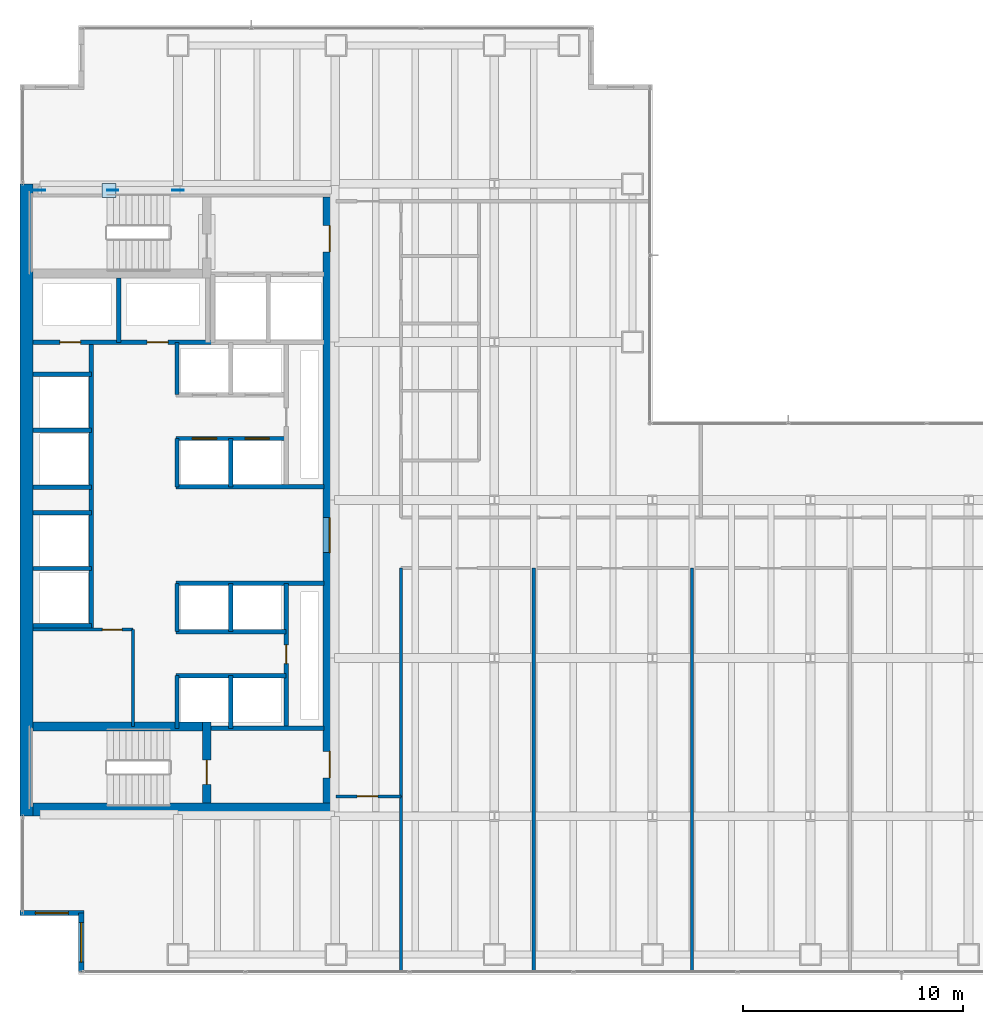
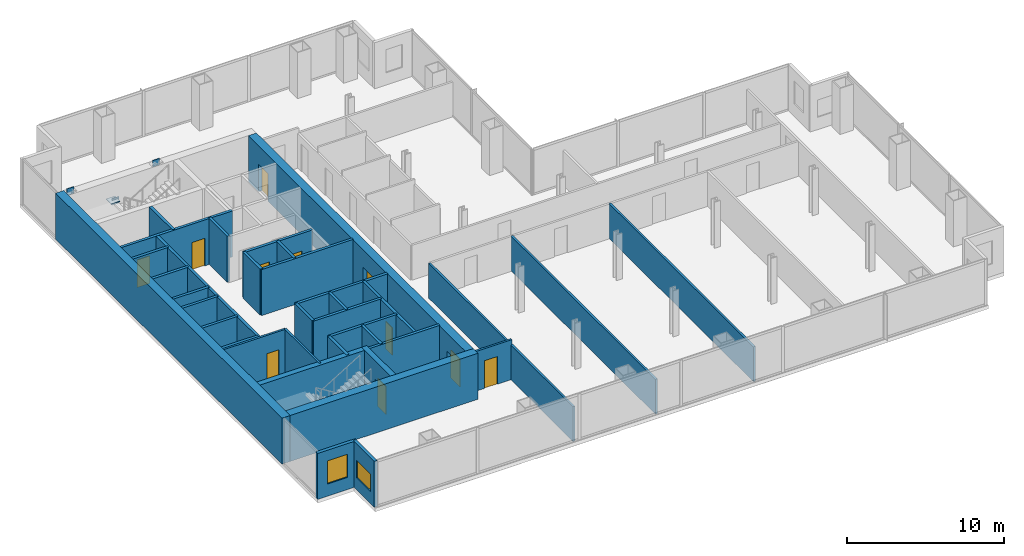
# One storey, part 20 of 25: 37 walls, 11 doors, 4 plates, 2 windows, 13 openings.
"""IFC4 building model written with IfcOpenShell, lengths in metres."""

from ifc_helpers import new_model, si_unit, direction, frame, frame_2d, origin, origin_2d, place, context, subcontext, project, spatial, rectangle, extrude, material, layer, layer_set, type_object, element, fill, save


model = new_model("IFC4")

# Units and contexts
model_context = context("Model", 3, precision=1e-05, world=origin(), true_north=direction((0.0, 1.0)))
body_context = subcontext(model_context, "Body", "Model", "MODEL_VIEW")
ifc_project = project(units=[si_unit("LENGTHUNIT", "METRE"), si_unit("AREAUNIT", "SQUARE_METRE"), si_unit("VOLUMEUNIT", "CUBIC_METRE"), si_unit("PLANEANGLEUNIT", "RADIAN"), si_unit("MASSUNIT", "GRAM", prefix="KILO")], contexts=[model_context])

# Site, building, storey
site_placement = place(None, origin())
site = spatial("IfcSite", under=ifc_project, at=site_placement, CompositionType="ELEMENT")
building_placement = place(site_placement, origin())
building = spatial("IfcBuilding", under=site, at=building_placement, Name="Cobrela Telecom Tower", CompositionType="ELEMENT")
storey_placement = place(building_placement, frame((0.0, 0.0, 58.10009765625)))
storey = spatial("IfcBuildingStorey", under=building, at=storey_placement, Name="L14", CompositionType="ELEMENT", Elevation=58.10009765625)

# Plates
ifc_material_1 = material(Name="Steel ASTM A572 Grade 50", Category="steel")
ifc_layer_1 = layer(ifc_material_1, 0.0419921875)
ifc_layer_set_1 = layer_set([ifc_layer_1], Name="Steel ASTM A572 Grade 50")
plate_type = type_object("IfcPlateType", Name="PLT-NODE-ND1", PredefinedType="USERDEFINED", material=ifc_layer_set_1)
for number, where, z_axis, x_axis, name in (
    (1, (7.199951171875, 35.699951171875, 3.35498046875), (0.0, 0.0, 1.0), (1.0, 0.0, 0.0), "Steel node plate PLT-MBR-EXO-L14-N1-A-1"),
    (2, (4.219482421875, 35.699951171875, 1.431640625), (0.0, 0.0, 1.0), (-1.0, 0.0, 0.0), "Steel node plate PLT-MBR-EXO-L14-N1-B1-1"),
    (3, (0.89990234375, 35.699951171875, 3.35498046875), (0.0, 0.0, 1.0), (-1.0, 0.0, 0.0), "Steel node plate PLT-MBR-EXO-L14-N1-B2-1"),
):
    element("IfcPlate", number, at=place(storey_placement, frame(where, z_axis=z_axis, x_axis=x_axis)), inside=storey, type_object=plate_type, Name=name, ObjectType="GUSSET PLATE", PredefinedType="USERDEFINED", context=body_context, shape_type="SweptSolid", body=[
        extrude(rectangle(XDim=0.510009765625, YDim=0.044921875, at=origin_2d()), origin(), (0.0, 0.0, 1.0), 0.510009765625),
    ])
plate_placement = place(storey_placement, frame((4.050048828125, 35.699951171875, 1.762451171875), z_axis=(0.0, 0.0, 1.0), x_axis=(1.0, 0.0, 0.0)))
element("IfcPlate", 4, at=plate_placement, inside=storey, type_object=plate_type, Name="L14 Core Flange Steel X-Brace Central X-Crossing Gusset Plate", ObjectType="GUSSET PLATE", PredefinedType="USERDEFINED", context=body_context, shape_type="SweptSolid", body=[
    extrude(rectangle(XDim=0.64990234375, YDim=0.64990234375, at=origin_2d()), origin(), (0.0, 0.0, 1.0), 0.044921875),
])

# Walls
ifc_material_2 = material(Name="Concrete C50/60", Category="concrete")
ifc_layer_2 = layer(ifc_material_2, 0.60009765625)
ifc_layer_set_2 = layer_set([ifc_layer_2], Name="Concrete C50/60")
wall_type_1 = type_object("IfcWallType", Name="WALL-CORE-C50-600", PredefinedType="SHEAR", material=ifc_layer_set_2)
wall_1_placement = place(storey_placement, frame((0.300048828125, 7.199951171875, 0.0), z_axis=(0.0, 0.0, 1.0), x_axis=(0.0, 1.0, 0.0)))
element("IfcWall", 5, at=wall_1_placement, inside=storey, type_object=wall_type_1, Name="L14 West Core Shear Wall", PredefinedType="SHEAR", context=body_context, shape_type="SweptSolid", body=[
    extrude(rectangle(XDim=28.800048828125, YDim=0.60009765625, at=frame_2d((14.39990234375, 0.0))), origin(), (0.0, 0.0, 1.0), 3.56982421875),
])
wall_2_placement = place(storey_placement, frame((0.60009765625, 7.5, 0.0), z_axis=(0.0, 0.0, 1.0), x_axis=(1.0, 0.0, 0.0)))
element("IfcWall", 6, at=wall_2_placement, inside=storey, type_object=wall_type_1, Name="L14 South Core Shear Wall", PredefinedType="SHEAR", context=body_context, shape_type="SweptSolid", body=[
    extrude(rectangle(XDim=13.7998046875, YDim=0.60009765625, at=frame_2d((6.89990234375, 0.0))), origin(), (0.0, 0.0, 1.0), 3.56982421875),
])

# Wall, openings, doors
wall_3_placement = place(storey_placement, frame((14.10009765625, 35.39990234375, 0.0), z_axis=(0.0, 0.0, 1.0), x_axis=(0.0, -1.0, 0.0)))
wall_3 = element("IfcWall", 7, at=wall_3_placement, inside=storey, type_object=wall_type_1, Name="L14 East Core Shear Wall", PredefinedType="SHEAR", context=body_context, shape_type="SweptSolid", body=[
    extrude(rectangle(XDim=27.599853515625, YDim=0.60009765625, at=frame_2d((13.7998046875, 0.0))), origin(), (0.0, 0.0, 1.0), 3.56982421875),
])
opening_1_placement = place(wall_3_placement, frame((1.300048828125, 0.0, 0.0)))
opening_1 = element("IfcOpeningElement", 8, at=opening_1_placement, cuts=wall_3, Name="Opening DR-19", PredefinedType="OPENING", context=body_context, shape_type="SweptSolid", body=[
    extrude(rectangle(XDim=1.199951171875, YDim=2.14990234375, at=frame_2d((0.60009765625, 1.074951171875))), frame((0.0, 0.31201171875, 0.0), z_axis=(0.0, -1.0, 0.0), x_axis=(1.0, 0.0, 0.0)), (0.0, 0.0, 1.0), 0.6240234375),
])
opening_2_placement = place(wall_3_placement, frame((25.25, 0.0, 0.0)))
opening_2 = element("IfcOpeningElement", 9, at=opening_2_placement, cuts=wall_3, Name="Opening DR-19", PredefinedType="OPENING", context=body_context, shape_type="SweptSolid", body=[
    extrude(rectangle(XDim=1.199951171875, YDim=2.14990234375, at=frame_2d((0.60009765625, 1.074951171875))), frame((0.0, 0.31201171875, 0.0), z_axis=(0.0, -1.0, 0.0), x_axis=(1.0, 0.0, 0.0)), (0.0, 0.0, 1.0), 0.6240234375),
])
opening_3_placement = place(wall_3_placement, frame((14.60009765625, 0.0, 0.0)))
opening_3 = element("IfcOpeningElement", 10, at=opening_3_placement, cuts=wall_3, Name="Opening DR-51", PredefinedType="OPENING", context=body_context, shape_type="SweptSolid", body=[
    extrude(rectangle(XDim=1.60009765625, YDim=2.199951171875, at=frame_2d((0.800048828125, 1.10009765625))), frame((0.0, 0.31201171875, 0.0), z_axis=(0.0, -1.0, 0.0), x_axis=(1.0, 0.0, 0.0)), (0.0, 0.0, 1.0), 0.6240234375),
])
ifc_material_3 = material(Name="Steel ASTM A36", Category="steel")
door_type_1 = type_object("IfcDoorType", Name="DOOR-FD60-1200", OperationType="SINGLE_SWING_LEFT", PredefinedType="DOOR", material=ifc_material_3)
door_1_placement = place(opening_1_placement, origin())
door_1 = element("IfcDoor", 11, at=door_1_placement, inside=storey, type_object=door_type_1, Name="L14 Door DR-19", OperationType="SINGLE_SWING_LEFT", OverallHeight=2.14990234375, OverallWidth=1.199951171875, PredefinedType="DOOR", context=body_context, shape_type="SweptSolid", body=[
    extrude(rectangle(XDim=1.199951171875, YDim=2.14990234375, at=frame_2d((0.60009765625, 1.074951171875))), frame((0.0, 0.02490234375, 0.0), z_axis=(0.0, -1.0, 0.0), x_axis=(1.0, 0.0, 0.0)), (0.0, 0.0, 1.0), 0.050048828125),
])
fill(opening_1, door_1)
door_2_placement = place(opening_2_placement, origin())
door_2 = element("IfcDoor", 12, at=door_2_placement, inside=storey, type_object=door_type_1, Name="L14 Door DR-19", OperationType="SINGLE_SWING_RIGHT", OverallHeight=2.14990234375, OverallWidth=1.199951171875, PredefinedType="DOOR", context=body_context, shape_type="SweptSolid", body=[
    extrude(rectangle(XDim=1.199951171875, YDim=2.14990234375, at=frame_2d((0.60009765625, 1.074951171875))), frame((0.0, 0.02490234375, 0.0), z_axis=(0.0, -1.0, 0.0), x_axis=(1.0, 0.0, 0.0)), (0.0, 0.0, 1.0), 0.050048828125),
])
fill(opening_2, door_2)
door_type_2 = type_object("IfcDoorType", Name="DOOR-FD60-1600", OperationType="SINGLE_SWING_LEFT", PredefinedType="DOOR", material=ifc_material_3)
door_3_placement = place(opening_3_placement, origin())
door_3 = element("IfcDoor", 13, at=door_3_placement, inside=storey, type_object=door_type_2, Name="L14 Door DR-51", OperationType="DOUBLE_DOOR_SINGLE_SWING", OverallHeight=2.199951171875, OverallWidth=1.60009765625, PredefinedType="DOOR", context=body_context, shape_type="SweptSolid", body=[
    extrude(rectangle(XDim=1.60009765625, YDim=2.199951171875, at=frame_2d((0.800048828125, 1.10009765625))), frame((0.0, 0.02490234375, 0.0), z_axis=(0.0, -1.0, 0.0), x_axis=(1.0, 0.0, 0.0)), (0.0, 0.0, 1.0), 0.050048828125),
])
fill(opening_3, door_3)

# Wall, opening, window
ifc_material_4 = material(Name="Concrete C40/50", Category="concrete")
ifc_layer_3 = layer(ifc_material_4, 0.239990234375)
ifc_layer_set_3 = layer_set([ifc_layer_3], Name="Concrete C40/50")
wall_type_2 = type_object("IfcWallType", Name="WALL-EXT-300", PredefinedType="STANDARD", material=ifc_layer_set_3)
wall_4_placement = place(storey_placement, frame((2.7900390625, 0.1201171875, 0.0), z_axis=(0.0, 0.0, 1.0), x_axis=(0.0, 1.0, 0.0)))
wall_4 = element("IfcWall", 14, at=wall_4_placement, inside=storey, type_object=wall_type_2, Name="L14 Insulated Facade Wall 01", PredefinedType="STANDARD", context=body_context, shape_type="SweptSolid", body=[
    extrude(rectangle(XDim=2.669921875, YDim=0.239990234375, at=frame_2d((1.3349609375, 0.0))), origin(), (0.0, 0.0, 1.0), 3.56982421875),
])
opening_4_placement = place(wall_4_placement, frame((0.43505859375, 0.0, 0.949951171875)))
opening_4 = element("IfcOpeningElement", 15, at=opening_4_placement, cuts=wall_4, Name="Opening WN-27", PredefinedType="OPENING", context=body_context, shape_type="SweptSolid", body=[
    extrude(rectangle(XDim=1.800048828125, YDim=1.35009765625, at=frame_2d((0.89990234375, 0.675048828125))), frame((0.0, 0.1318359375, 0.0), z_axis=(0.0, -1.0, 0.0), x_axis=(1.0, 0.0, 0.0)), (0.0, 0.0, 1.0), 0.263916015625),
])
ifc_material_5 = material(Name="Solar-Control Bronze Low-E Glass", Category="glass")
window_type_1 = type_object("IfcWindowType", Name="WIN-CLER-1800", PartitioningType="SINGLE_PANEL", PredefinedType="WINDOW", material=ifc_material_5)
window_1_placement = place(opening_4_placement, origin())
window_1 = element("IfcWindow", 16, at=window_1_placement, inside=storey, type_object=window_type_1, Name="L14 Corner Notch Facade Window 060", OverallHeight=1.35009765625, OverallWidth=1.800048828125, PartitioningType="SINGLE_PANEL", PredefinedType="WINDOW", context=body_context, shape_type="SweptSolid", body=[
    extrude(rectangle(XDim=1.800048828125, YDim=1.35009765625, at=frame_2d((0.89990234375, 0.675048828125))), frame((0.0, 0.030029296875, 0.0), z_axis=(0.0, -1.0, 0.0), x_axis=(1.0, 0.0, 0.0)), (0.0, 0.0, 1.0), 0.06005859375),
])
fill(opening_4, window_1)

wall_5_placement = place(storey_placement, frame((2.909912109375, 2.7900390625, 0.0), z_axis=(0.0, 0.0, 1.0), x_axis=(-1.0, 0.0, 0.0)))
wall_5 = element("IfcWall", 17, at=wall_5_placement, inside=storey, type_object=wall_type_2, Name="L14 Insulated Facade Wall 02", PredefinedType="STANDARD", context=body_context, shape_type="SweptSolid", body=[
    extrude(rectangle(XDim=2.909912109375, YDim=0.239990234375, at=frame_2d((1.455078125, 0.0))), origin(), (0.0, 0.0, 1.0), 3.56982421875),
])
opening_5_placement = place(wall_5_placement, frame((0.705078125, 0.0, 0.949951171875)))
opening_5 = element("IfcOpeningElement", 18, at=opening_5_placement, cuts=wall_5, Name="Opening WN-45", PredefinedType="OPENING", context=body_context, shape_type="SweptSolid", body=[
    extrude(rectangle(XDim=1.5, YDim=1.800048828125, at=frame_2d((0.75, 0.89990234375))), frame((0.0, 0.1318359375, 0.0), z_axis=(0.0, -1.0, 0.0), x_axis=(1.0, 0.0, 0.0)), (0.0, 0.0, 1.0), 0.263916015625),
])
window_type_2 = type_object("IfcWindowType", Name="WIN-MOD-1500", PartitioningType="SINGLE_PANEL", PredefinedType="WINDOW", material=ifc_material_5)
window_2_placement = place(opening_5_placement, origin())
window_2 = element("IfcWindow", 19, at=window_2_placement, inside=storey, type_object=window_type_2, Name="L14 Corner Notch Facade Window 061", OverallHeight=1.800048828125, OverallWidth=1.5, PartitioningType="SINGLE_PANEL", PredefinedType="WINDOW", context=body_context, shape_type="SweptSolid", body=[
    extrude(rectangle(XDim=1.5, YDim=1.800048828125, at=frame_2d((0.75, 0.89990234375))), frame((0.0, 0.030029296875, 0.0), z_axis=(0.0, -1.0, 0.0), x_axis=(1.0, 0.0, 0.0)), (0.0, 0.0, 1.0), 0.06005859375),
])
fill(opening_5, window_2)

# Wall, opening, door
ifc_material_6 = material(Name="Fire-Rated Gypsum Plasterboard")
ifc_layer_4 = layer(ifc_material_6, 0.14990234375)
ifc_layer_set_4 = layer_set([ifc_layer_4], Name="Fire-Rated Gypsum Plasterboard")
wall_type_3 = type_object("IfcWallType", Name="WALL-PART-150", PredefinedType="PARTITIONING", material=ifc_layer_set_4)
wall_6_placement = place(storey_placement, frame((0.60009765625, 15.699951171875, 0.0), z_axis=(0.0, 0.0, 1.0), x_axis=(1.0, 0.0, 0.0)))
wall_6 = element("IfcWall", 20, at=wall_6_placement, inside=storey, type_object=wall_type_3, Name="L14 Interior Partition CW-FLEX-N", PredefinedType="PARTITIONING", context=body_context, shape_type="SweptSolid", body=[
    extrude(rectangle(XDim=4.5498046875, YDim=0.14990234375, at=frame_2d((2.27490234375, 0.0))), origin(), (0.0, 0.0, 1.0), 3.56982421875),
])
opening_6_placement = place(wall_6_placement, frame((3.14990234375, 0.0, 0.0)))
opening_6 = element("IfcOpeningElement", 21, at=opening_6_placement, cuts=wall_6, Name="Opening DR-41", PredefinedType="OPENING", context=body_context, shape_type="SweptSolid", body=[
    extrude(rectangle(XDim=0.89990234375, YDim=2.14990234375, at=frame_2d((0.449951171875, 1.074951171875))), frame((0.0, 0.0869140625, 0.0), z_axis=(0.0, -1.0, 0.0), x_axis=(1.0, 0.0, 0.0)), (0.0, 0.0, 1.0), 0.173828125),
])
ifc_material_7 = material(Name="Solid Engineered Oak Timber", Category="wood")
door_type_3 = type_object("IfcDoorType", Name="DOOR-INT-900", OperationType="SINGLE_SWING_LEFT", PredefinedType="DOOR", material=ifc_material_7)
door_4_placement = place(opening_6_placement, origin())
door_4 = element("IfcDoor", 22, at=door_4_placement, inside=storey, type_object=door_type_3, Name="L14 Door DR-41", OperationType="SINGLE_SWING_LEFT", OverallHeight=2.14990234375, OverallWidth=0.89990234375, PredefinedType="DOOR", context=body_context, shape_type="SweptSolid", body=[
    extrude(rectangle(XDim=0.89990234375, YDim=2.14990234375, at=frame_2d((0.449951171875, 1.074951171875))), frame((0.0, 0.02490234375, 0.0), z_axis=(0.0, -1.0, 0.0), x_axis=(1.0, 0.0, 0.0)), (0.0, 0.0, 1.0), 0.050048828125),
])
fill(opening_6, door_4)

# Wall
wall_7_placement = place(storey_placement, frame((5.14990234375, 11.280029296875, 0.0), z_axis=(0.0, 0.0, 1.0), x_axis=(0.0, 1.0, 0.0)))
element("IfcWall", 23, at=wall_7_placement, inside=storey, type_object=wall_type_3, Name="L14 Interior Partition CW-FLEX-E", PredefinedType="PARTITIONING", context=body_context, shape_type="SweptSolid", body=[
    extrude(rectangle(XDim=4.419921875, YDim=0.14990234375, at=frame_2d((2.2099609375, 0.0))), origin(), (0.0, 0.0, 1.0), 3.56982421875),
])

# Wall, opening, door
wall_8_placement = place(storey_placement, frame((14.39990234375, 8.10009765625, 0.0), z_axis=(0.0, 0.0, 1.0), x_axis=(1.0, 0.0, 0.0)))
wall_8 = element("IfcWall", 24, at=wall_8_placement, inside=storey, type_object=wall_type_3, Name="L14 Interior Partition W-C-S0", PredefinedType="PARTITIONING", context=body_context, shape_type="SweptSolid", body=[
    extrude(rectangle(XDim=2.9501953125, YDim=0.14990234375, at=frame_2d((1.47509765625, 0.0))), origin(), (0.0, 0.0, 1.0), 3.087890625),
])
opening_7_placement = place(wall_8_placement, frame((0.949951171875, 0.0, 0.0)))
opening_7 = element("IfcOpeningElement", 25, at=opening_7_placement, cuts=wall_8, Name="Opening DR-67", PredefinedType="OPENING", context=body_context, shape_type="SweptSolid", body=[
    extrude(rectangle(XDim=0.949951171875, YDim=2.14990234375, at=frame_2d((0.47509765625, 1.074951171875))), frame((0.0, 0.0869140625, 0.0), z_axis=(0.0, -1.0, 0.0), x_axis=(1.0, 0.0, 0.0)), (0.0, 0.0, 1.0), 0.173828125),
])
door_type_4 = type_object("IfcDoorType", Name="DOOR-INT-950", OperationType="SINGLE_SWING_LEFT", PredefinedType="DOOR", material=ifc_material_7)
door_5_placement = place(opening_7_placement, origin())
door_5 = element("IfcDoor", 26, at=door_5_placement, inside=storey, type_object=door_type_4, Name="L14 Door DR-67", OperationType="SINGLE_SWING_RIGHT", OverallHeight=2.14990234375, OverallWidth=0.949951171875, PredefinedType="DOOR", context=body_context, shape_type="SweptSolid", body=[
    extrude(rectangle(XDim=0.949951171875, YDim=2.14990234375, at=frame_2d((0.47509765625, 1.074951171875))), frame((0.0, 0.02490234375, 0.0), z_axis=(0.0, -1.0, 0.0), x_axis=(1.0, 0.0, 0.0)), (0.0, 0.0, 1.0), 0.050048828125),
])
fill(opening_7, door_5)

# Walls
wall_9_placement = place(storey_placement, frame((17.35009765625, 8.10009765625, 0.0), z_axis=(0.0, 0.0, 1.0), x_axis=(0.0, 1.0, 0.0)))
element("IfcWall", 27, at=wall_9_placement, inside=storey, type_object=wall_type_3, Name="L14 Interior Partition W-C-E1", PredefinedType="PARTITIONING", context=body_context, shape_type="SweptSolid", body=[
    extrude(rectangle(XDim=10.39990234375, YDim=0.14990234375, at=frame_2d((5.199951171875, 0.0))), origin(), (0.0, 0.0, 1.0), 2.698974609375),
])
wall_10_placement = place(storey_placement, frame((17.35009765625, 0.1201171875, 0.0), z_axis=(0.0, 0.0, 1.0), x_axis=(0.0, 1.0, 0.0)))
element("IfcWall", 28, at=wall_10_placement, inside=storey, type_object=wall_type_3, Name="L14 Interior Partition W-SW-E", PredefinedType="PARTITIONING", context=body_context, shape_type="SweptSolid", body=[
    extrude(rectangle(XDim=7.97998046875, YDim=0.14990234375, at=frame_2d((3.989990234375, 0.0))), origin(), (0.0, 0.0, 1.0), 2.698974609375),
])
for number, where, z_axis, x_axis, name in (
    (29, (23.39990234375, 0.1201171875, 0.0), (0.0, 0.0, 1.0), (0.0, 1.0, 0.0), "L14 Interior Partition W-SV-1"),
    (30, (30.60009765625, 0.1201171875, 0.0), (0.0, 0.0, 1.0), (0.0, 1.0, 0.0), "L14 Interior Partition W-SV-2"),
):
    element("IfcWall", number, at=place(storey_placement, frame(where, z_axis=z_axis, x_axis=x_axis)), inside=storey, type_object=wall_type_3, Name=name, PredefinedType="PARTITIONING", context=body_context, shape_type="SweptSolid", body=[
        extrude(rectangle(XDim=18.3798828125, YDim=0.14990234375, at=frame_2d((9.18994140625, 0.0))), origin(), (0.0, 0.0, 1.0), 2.698974609375),
    ])
ifc_layer_5 = layer(ifc_material_6, 0.199951171875)
ifc_layer_set_5 = layer_set([ifc_layer_5], Name="Fire-Rated Gypsum Plasterboard")
wall_type_4 = type_object("IfcWallType", Name="WALL-SHAFT-200", PredefinedType="PARTITIONING", material=ifc_layer_set_5)
wall_11_placement = place(storey_placement, frame((8.699951171875, 11.199951171875, 0.0), z_axis=(0.0, 0.0, 1.0), x_axis=(1.0, 0.0, 0.0)))
element("IfcWall", 31, at=wall_11_placement, inside=storey, type_object=wall_type_4, Name="L14 Shaft Enclosure CW-ST2L-N", PredefinedType="PARTITIONING", context=body_context, shape_type="SweptSolid", body=[
    extrude(rectangle(XDim=5.150146484375, YDim=0.199951171875, at=frame_2d((2.5751953125, 0.0))), origin(), (0.0, 0.0, 1.0), 3.56982421875),
])

# Wall, openings, doors
wall_12_placement = place(storey_placement, frame((0.60009765625, 28.780029296875, 0.0), z_axis=(0.0, 0.0, 1.0), x_axis=(1.0, 0.0, 0.0)))
wall_12 = element("IfcWall", 32, at=wall_12_placement, inside=storey, type_object=wall_type_4, Name="L14 Shaft Enclosure CW-RIS-S", PredefinedType="PARTITIONING", context=body_context, shape_type="SweptSolid", body=[
    extrude(rectangle(XDim=8.179931640625, YDim=0.199951171875, at=frame_2d((4.08984375, 0.0))), origin(), (0.0, 0.0, 1.0), 3.56982421875),
])
opening_8_placement = place(wall_12_placement, frame((1.2099609375, 0.0, 0.0)))
opening_8 = element("IfcOpeningElement", 33, at=opening_8_placement, cuts=wall_12, Name="Opening DR-65", PredefinedType="OPENING", context=body_context, shape_type="SweptSolid", body=[
    extrude(rectangle(XDim=0.949951171875, YDim=2.14990234375, at=frame_2d((0.47509765625, 1.074951171875))), frame((0.0, 0.11181640625, 0.0), z_axis=(0.0, -1.0, 0.0), x_axis=(1.0, 0.0, 0.0)), (0.0, 0.0, 1.0), 0.223876953125),
])
opening_9_placement = place(wall_12_placement, frame((5.18994140625, 0.0, 0.0)))
opening_9 = element("IfcOpeningElement", 34, at=opening_9_placement, cuts=wall_12, Name="Opening DR-65", PredefinedType="OPENING", context=body_context, shape_type="SweptSolid", body=[
    extrude(rectangle(XDim=0.949951171875, YDim=2.14990234375, at=frame_2d((0.47509765625, 1.074951171875))), frame((0.0, 0.11181640625, 0.0), z_axis=(0.0, -1.0, 0.0), x_axis=(1.0, 0.0, 0.0)), (0.0, 0.0, 1.0), 0.223876953125),
])
door_type_5 = type_object("IfcDoorType", Name="DOOR-FD60-950", OperationType="SINGLE_SWING_LEFT", PredefinedType="DOOR", material=ifc_material_3)
door_6_placement = place(opening_8_placement, origin())
door_6 = element("IfcDoor", 35, at=door_6_placement, inside=storey, type_object=door_type_5, Name="L14 Door DR-65", OperationType="SINGLE_SWING_LEFT", OverallHeight=2.14990234375, OverallWidth=0.949951171875, PredefinedType="DOOR", context=body_context, shape_type="SweptSolid", body=[
    extrude(rectangle(XDim=0.949951171875, YDim=2.14990234375, at=frame_2d((0.47509765625, 1.074951171875))), frame((0.0, 0.02490234375, 0.0), z_axis=(0.0, -1.0, 0.0), x_axis=(1.0, 0.0, 0.0)), (0.0, 0.0, 1.0), 0.050048828125),
])
fill(opening_8, door_6)
door_7_placement = place(opening_9_placement, origin())
door_7 = element("IfcDoor", 36, at=door_7_placement, inside=storey, type_object=door_type_5, Name="L14 Door DR-65", OperationType="SINGLE_SWING_RIGHT", OverallHeight=2.14990234375, OverallWidth=0.949951171875, PredefinedType="DOOR", context=body_context, shape_type="SweptSolid", body=[
    extrude(rectangle(XDim=0.949951171875, YDim=2.14990234375, at=frame_2d((0.47509765625, 1.074951171875))), frame((0.0, 0.02490234375, 0.0), z_axis=(0.0, -1.0, 0.0), x_axis=(1.0, 0.0, 0.0)), (0.0, 0.0, 1.0), 0.050048828125),
])
fill(opening_9, door_7)

# Walls
wall_13_placement = place(storey_placement, frame((4.5, 28.780029296875, 0.0), z_axis=(0.0, 0.0, 1.0), x_axis=(0.0, 1.0, 0.0)))
element("IfcWall", 37, at=wall_13_placement, inside=storey, type_object=wall_type_4, Name="L14 Shaft Enclosure CW-RIS-M", PredefinedType="PARTITIONING", context=body_context, shape_type="SweptSolid", body=[
    extrude(rectangle(XDim=2.93994140625, YDim=0.199951171875, at=frame_2d((1.469970703125, 0.0))), origin(), (0.0, 0.0, 1.0), 3.56982421875),
])
wall_14_placement = place(storey_placement, frame((3.25, 15.699951171875, 0.0), z_axis=(0.0, 0.0, 1.0), x_axis=(0.0, 1.0, 0.0)))
element("IfcWall", 38, at=wall_14_placement, inside=storey, type_object=wall_type_4, Name="L14 Shaft Enclosure CW-PLH-E", PredefinedType="PARTITIONING", context=body_context, shape_type="SweptSolid", body=[
    extrude(rectangle(XDim=13.080078125, YDim=0.199951171875, at=frame_2d((6.5400390625, 0.0))), origin(), (0.0, 0.0, 1.0), 3.56982421875),
])
for number, where, z_axis, x_axis, name in (
    (39, (0.60009765625, 15.8798828125, 0.0), (0.0, 0.0, 1.0), (1.0, 0.0, 0.0), "L14 Shaft Enclosure CW-PLH-D9"),
    (40, (0.60009765625, 18.47998046875, 0.0), (0.0, 0.0, 1.0), (1.0, 0.0, 0.0), "L14 Shaft Enclosure CW-PLH-D10"),
    (41, (0.60009765625, 22.179931640625, 0.0), (0.0, 0.0, 1.0), (1.0, 0.0, 0.0), "L14 Shaft Enclosure CW-PLH-D11"),
    (42, (0.60009765625, 24.780029296875, 0.0), (0.0, 0.0, 1.0), (1.0, 0.0, 0.0), "L14 Shaft Enclosure CW-PLH-D12"),
    (43, (0.60009765625, 21.02001953125, 0.0), (0.0, 0.0, 1.0), (1.0, 0.0, 0.0), "L14 Shaft Enclosure CW-PLH-MID"),
    (44, (0.60009765625, 27.320068359375, 0.0), (0.0, 0.0, 1.0), (1.0, 0.0, 0.0), "L14 Shaft Enclosure CW-PLH-TOP"),
):
    element("IfcWall", number, at=place(storey_placement, frame(where, z_axis=z_axis, x_axis=x_axis)), inside=storey, type_object=wall_type_4, Name=name, PredefinedType="PARTITIONING", context=body_context, shape_type="SweptSolid", body=[
        extrude(rectangle(XDim=2.64990234375, YDim=0.199951171875, at=frame_2d((1.324951171875, 0.0))), origin(), (0.0, 0.0, 1.0), 3.56982421875),
    ])
wall_15_placement = place(storey_placement, frame((7.10009765625, 22.199951171875, 0.0), z_axis=(0.0, 0.0, 1.0), x_axis=(1.0, 0.0, 0.0)))
element("IfcWall", 45, at=wall_15_placement, inside=storey, type_object=wall_type_4, Name="L14 Shaft Enclosure CW-PLL-B0", PredefinedType="PARTITIONING", context=body_context, shape_type="SweptSolid", body=[
    extrude(rectangle(XDim=6.75, YDim=0.199951171875, at=frame_2d((3.375, 0.0))), origin(), (0.0, 0.0, 1.0), 3.56982421875),
])

# Wall, openings, doors
wall_16_placement = place(storey_placement, frame((7.10009765625, 24.39990234375, 0.0), z_axis=(0.0, 0.0, 1.0), x_axis=(1.0, 0.0, 0.0)))
wall_16 = element("IfcWall", 46, at=wall_16_placement, inside=storey, type_object=wall_type_4, Name="L14 Shaft Enclosure CW-PLL-S", PredefinedType="PARTITIONING", context=body_context, shape_type="SweptSolid", body=[
    extrude(rectangle(XDim=5.02001953125, YDim=0.199951171875, at=frame_2d((2.510009765625, 0.0))), origin(), (0.0, 0.0, 1.0), 3.56982421875),
])
opening_10_placement = place(wall_16_placement, frame((0.75, 0.0, 0.0)))
opening_10 = element("IfcOpeningElement", 47, at=opening_10_placement, cuts=wall_16, Name="Opening LD-1", PredefinedType="OPENING", context=body_context, shape_type="SweptSolid", body=[
    extrude(rectangle(XDim=1.10009765625, YDim=2.199951171875, at=frame_2d((0.550048828125, 1.10009765625))), frame((0.0, 0.11181640625, 0.0), z_axis=(0.0, -1.0, 0.0), x_axis=(1.0, 0.0, 0.0)), (0.0, 0.0, 1.0), 0.223876953125),
])
opening_11_placement = place(wall_16_placement, frame((3.14990234375, 0.0, 0.0)))
opening_11 = element("IfcOpeningElement", 48, at=opening_11_placement, cuts=wall_16, Name="Opening LD-1", PredefinedType="OPENING", context=body_context, shape_type="SweptSolid", body=[
    extrude(rectangle(XDim=1.10009765625, YDim=2.199951171875, at=frame_2d((0.550048828125, 1.10009765625))), frame((0.0, 0.11181640625, 0.0), z_axis=(0.0, -1.0, 0.0), x_axis=(1.0, 0.0, 0.0)), (0.0, 0.0, 1.0), 0.223876953125),
])
door_type_6 = type_object("IfcDoorType", Name="DOOR-LD-PL", OperationType="SINGLE_SWING_LEFT", PredefinedType="DOOR", material=ifc_material_3)
door_8_placement = place(opening_10_placement, origin())
door_8 = element("IfcDoor", 49, at=door_8_placement, inside=storey, type_object=door_type_6, Name="L14 Lift Landing Door LD-1", OperationType="DOUBLE_DOOR_SLIDING", OverallHeight=2.199951171875, OverallWidth=1.10009765625, PredefinedType="DOOR", context=body_context, shape_type="SweptSolid", body=[
    extrude(rectangle(XDim=1.10009765625, YDim=2.199951171875, at=frame_2d((0.550048828125, 1.10009765625))), frame((0.0, 0.02490234375, 0.0), z_axis=(0.0, -1.0, 0.0), x_axis=(1.0, 0.0, 0.0)), (0.0, 0.0, 1.0), 0.050048828125),
])
fill(opening_10, door_8)
door_9_placement = place(opening_11_placement, origin())
door_9 = element("IfcDoor", 50, at=door_9_placement, inside=storey, type_object=door_type_6, Name="L14 Lift Landing Door LD-1", OperationType="DOUBLE_DOOR_SLIDING", OverallHeight=2.199951171875, OverallWidth=1.10009765625, PredefinedType="DOOR", context=body_context, shape_type="SweptSolid", body=[
    extrude(rectangle(XDim=1.10009765625, YDim=2.199951171875, at=frame_2d((0.550048828125, 1.10009765625))), frame((0.0, 0.02490234375, 0.0), z_axis=(0.0, -1.0, 0.0), x_axis=(1.0, 0.0, 0.0)), (0.0, 0.0, 1.0), 0.050048828125),
])
fill(opening_11, door_9)

# Walls
wall_17_placement = place(storey_placement, frame((7.14990234375, 22.199951171875, 0.0), z_axis=(0.0, 0.0, 1.0), x_axis=(0.0, 1.0, 0.0)))
element("IfcWall", 51, at=wall_17_placement, inside=storey, type_object=wall_type_4, Name="L14 Shaft Enclosure CW-PLL-V1", PredefinedType="PARTITIONING", context=body_context, shape_type="SweptSolid", body=[
    extrude(rectangle(XDim=2.199951171875, YDim=0.199951171875, at=frame_2d((1.10009765625, 0.0))), origin(), (0.0, 0.0, 1.0), 3.56982421875),
])
wall_18_placement = place(storey_placement, frame((7.14990234375, 26.39990234375, 0.0), z_axis=(0.0, 0.0, 1.0), x_axis=(0.0, 1.0, 0.0)))
element("IfcWall", 52, at=wall_18_placement, inside=storey, type_object=wall_type_4, Name="L14 Shaft Enclosure CW-PLL-V1B", PredefinedType="PARTITIONING", context=body_context, shape_type="SweptSolid", body=[
    extrude(rectangle(XDim=2.380126953125, YDim=0.199951171875, at=frame_2d((1.18994140625, 0.0))), origin(), (0.0, 0.0, 1.0), 3.56982421875),
])
wall_19_placement = place(storey_placement, frame((9.60009765625, 22.199951171875, 0.0), z_axis=(0.0, 0.0, 1.0), x_axis=(0.0, 1.0, 0.0)))
element("IfcWall", 53, at=wall_19_placement, inside=storey, type_object=wall_type_4, Name="L14 Shaft Enclosure CW-PLL-V2", PredefinedType="PARTITIONING", context=body_context, shape_type="SweptSolid", body=[
    extrude(rectangle(XDim=2.199951171875, YDim=0.199951171875, at=frame_2d((1.10009765625, 0.0))), origin(), (0.0, 0.0, 1.0), 3.56982421875),
])
wall_20_placement = place(storey_placement, frame((7.10009765625, 17.800048828125, 0.0), z_axis=(0.0, 0.0, 1.0), x_axis=(1.0, 0.0, 0.0)))
element("IfcWall", 54, at=wall_20_placement, inside=storey, type_object=wall_type_4, Name="L14 Shaft Enclosure CW-PLM-T0", PredefinedType="PARTITIONING", context=body_context, shape_type="SweptSolid", body=[
    extrude(rectangle(XDim=6.75, YDim=0.199951171875, at=frame_2d((3.375, 0.0))), origin(), (0.0, 0.0, 1.0), 3.56982421875),
])
for number, where, z_axis, x_axis, name in (
    (55, (7.10009765625, 15.60009765625, 0.0), (0.0, 0.0, 1.0), (1.0, 0.0, 0.0), "L14 Shaft Enclosure CW-PLM-N"),
    (56, (7.10009765625, 13.60009765625, 0.0), (0.0, 0.0, 1.0), (1.0, 0.0, 0.0), "L14 Shaft Enclosure CW-PLM-S"),
):
    element("IfcWall", number, at=place(storey_placement, frame(where, z_axis=z_axis, x_axis=x_axis)), inside=storey, type_object=wall_type_4, Name=name, PredefinedType="PARTITIONING", context=body_context, shape_type="SweptSolid", body=[
        extrude(rectangle(XDim=5.02001953125, YDim=0.199951171875, at=frame_2d((2.510009765625, 0.0))), origin(), (0.0, 0.0, 1.0), 3.56982421875),
    ])
wall_21_placement = place(storey_placement, frame((7.14990234375, 15.60009765625, 0.0), z_axis=(0.0, 0.0, 1.0), x_axis=(0.0, 1.0, 0.0)))
element("IfcWall", 57, at=wall_21_placement, inside=storey, type_object=wall_type_4, Name="L14 Shaft Enclosure CW-PLM-V1", PredefinedType="PARTITIONING", context=body_context, shape_type="SweptSolid", body=[
    extrude(rectangle(XDim=2.199951171875, YDim=0.199951171875, at=frame_2d((1.10009765625, 0.0))), origin(), (0.0, 0.0, 1.0), 3.56982421875),
])
wall_22_placement = place(storey_placement, frame((7.14990234375, 11.199951171875, 0.0), z_axis=(0.0, 0.0, 1.0), x_axis=(0.0, 1.0, 0.0)))
element("IfcWall", 58, at=wall_22_placement, inside=storey, type_object=wall_type_4, Name="L14 Shaft Enclosure CW-PLM-V1B", PredefinedType="PARTITIONING", context=body_context, shape_type="SweptSolid", body=[
    extrude(rectangle(XDim=2.400146484375, YDim=0.199951171875, at=frame_2d((1.2001953125, 0.0))), origin(), (0.0, 0.0, 1.0), 3.56982421875),
])
wall_23_placement = place(storey_placement, frame((9.60009765625, 15.60009765625, 0.0), z_axis=(0.0, 0.0, 1.0), x_axis=(0.0, 1.0, 0.0)))
element("IfcWall", 59, at=wall_23_placement, inside=storey, type_object=wall_type_4, Name="L14 Shaft Enclosure CW-PLM-V2", PredefinedType="PARTITIONING", context=body_context, shape_type="SweptSolid", body=[
    extrude(rectangle(XDim=2.199951171875, YDim=0.199951171875, at=frame_2d((1.10009765625, 0.0))), origin(), (0.0, 0.0, 1.0), 3.56982421875),
])
wall_24_placement = place(storey_placement, frame((9.60009765625, 11.199951171875, 0.0), z_axis=(0.0, 0.0, 1.0), x_axis=(0.0, 1.0, 0.0)))
element("IfcWall", 60, at=wall_24_placement, inside=storey, type_object=wall_type_4, Name="L14 Shaft Enclosure CW-PLM-V2B", PredefinedType="PARTITIONING", context=body_context, shape_type="SweptSolid", body=[
    extrude(rectangle(XDim=2.400146484375, YDim=0.199951171875, at=frame_2d((1.2001953125, 0.0))), origin(), (0.0, 0.0, 1.0), 3.56982421875),
])

# Wall, opening, door
wall_25_placement = place(storey_placement, frame((12.1201171875, 11.199951171875, 0.0), z_axis=(0.0, 0.0, 1.0), x_axis=(0.0, 1.0, 0.0)))
wall_25 = element("IfcWall", 61, at=wall_25_placement, inside=storey, type_object=wall_type_4, Name="L14 Shaft Enclosure CW-PLM-V3", PredefinedType="PARTITIONING", context=body_context, shape_type="SweptSolid", body=[
    extrude(rectangle(XDim=6.60009765625, YDim=0.199951171875, at=frame_2d((3.300048828125, 0.0))), origin(), (0.0, 0.0, 1.0), 3.56982421875),
])
opening_12_placement = place(wall_25_placement, frame((2.949951171875, 0.0, 0.0)))
opening_12 = element("IfcOpeningElement", 62, at=opening_12_placement, cuts=wall_25, Name="Opening DR-11", PredefinedType="OPENING", context=body_context, shape_type="SweptSolid", body=[
    extrude(rectangle(XDim=0.85009765625, YDim=2.14990234375, at=frame_2d((0.425048828125, 1.074951171875))), frame((0.0, 0.11181640625, 0.0), z_axis=(0.0, -1.0, 0.0), x_axis=(1.0, 0.0, 0.0)), (0.0, 0.0, 1.0), 0.223876953125),
])
door_type_7 = type_object("IfcDoorType", Name="DOOR-INT-850", OperationType="SINGLE_SWING_LEFT", PredefinedType="DOOR", material=ifc_material_7)
door_10_placement = place(opening_12_placement, origin())
door_10 = element("IfcDoor", 63, at=door_10_placement, inside=storey, type_object=door_type_7, Name="L14 Door DR-11", OperationType="SINGLE_SWING_RIGHT", OverallHeight=2.14990234375, OverallWidth=0.85009765625, PredefinedType="DOOR", context=body_context, shape_type="SweptSolid", body=[
    extrude(rectangle(XDim=0.85009765625, YDim=2.14990234375, at=frame_2d((0.425048828125, 1.074951171875))), frame((0.0, 0.02490234375, 0.0), z_axis=(0.0, -1.0, 0.0), x_axis=(1.0, 0.0, 0.0)), (0.0, 0.0, 1.0), 0.050048828125),
])
fill(opening_12, door_10)

# Wall
ifc_layer_6 = layer(ifc_material_4, 0.39990234375)
ifc_layer_set_6 = layer_set([ifc_layer_6], Name="Concrete C40/50")
wall_type_5 = type_object("IfcWallType", Name="WALL-SHAFT-C40-400", PredefinedType="SHEAR", material=ifc_layer_set_6)
wall_26_placement = place(storey_placement, frame((0.60009765625, 11.280029296875, 0.0), z_axis=(0.0, 0.0, 1.0), x_axis=(1.0, 0.0, 0.0)))
element("IfcWall", 64, at=wall_26_placement, inside=storey, type_object=wall_type_5, Name="L14 South Stair Shear Wall", PredefinedType="SHEAR", context=body_context, shape_type="SweptSolid", body=[
    extrude(rectangle(XDim=7.699951171875, YDim=0.39990234375, at=frame_2d((3.85009765625, 0.0))), origin(), (0.0, 0.0, 1.0), 3.56982421875),
])

# Wall, opening, door
wall_27_placement = place(storey_placement, frame((8.5, 7.800048828125, 0.0), z_axis=(0.0, 0.0, 1.0), x_axis=(0.0, 1.0, 0.0)))
wall_27 = element("IfcWall", 65, at=wall_27_placement, inside=storey, type_object=wall_type_5, Name="L14 South Stair Lobby Shear Wall", PredefinedType="SHEAR", context=body_context, shape_type="SweptSolid", body=[
    extrude(rectangle(XDim=3.679931640625, YDim=0.39990234375, at=frame_2d((1.83984375, 0.0))), origin(), (0.0, 0.0, 1.0), 3.56982421875),
])
opening_13_placement = place(wall_27_placement, frame((0.85009765625, 0.0, 0.0)))
opening_13 = element("IfcOpeningElement", 66, at=opening_13_placement, cuts=wall_27, Name="Opening FD-90", PredefinedType="OPENING", context=body_context, shape_type="SweptSolid", body=[
    extrude(rectangle(XDim=1.10009765625, YDim=2.14990234375, at=frame_2d((0.550048828125, 1.074951171875))), frame((0.0, 0.2119140625, 0.0), z_axis=(0.0, -1.0, 0.0), x_axis=(1.0, 0.0, 0.0)), (0.0, 0.0, 1.0), 0.423828125),
])
door_type_8 = type_object("IfcDoorType", Name="DOOR-FD90-1100", OperationType="SINGLE_SWING_LEFT", PredefinedType="DOOR", material=ifc_material_3)
door_11_placement = place(opening_13_placement, origin())
door_11 = element("IfcDoor", 67, at=door_11_placement, inside=storey, type_object=door_type_8, Name="L14 Door FD-90", OperationType="SINGLE_SWING_LEFT", OverallHeight=2.14990234375, OverallWidth=1.10009765625, PredefinedType="DOOR", context=body_context, shape_type="SweptSolid", body=[
    extrude(rectangle(XDim=1.10009765625, YDim=2.14990234375, at=frame_2d((0.550048828125, 1.074951171875))), frame((0.0, 0.02490234375, 0.0), z_axis=(0.0, -1.0, 0.0), x_axis=(1.0, 0.0, 0.0)), (0.0, 0.0, 1.0), 0.050048828125),
])
fill(opening_13, door_11)

save(model, "model.ifc")
